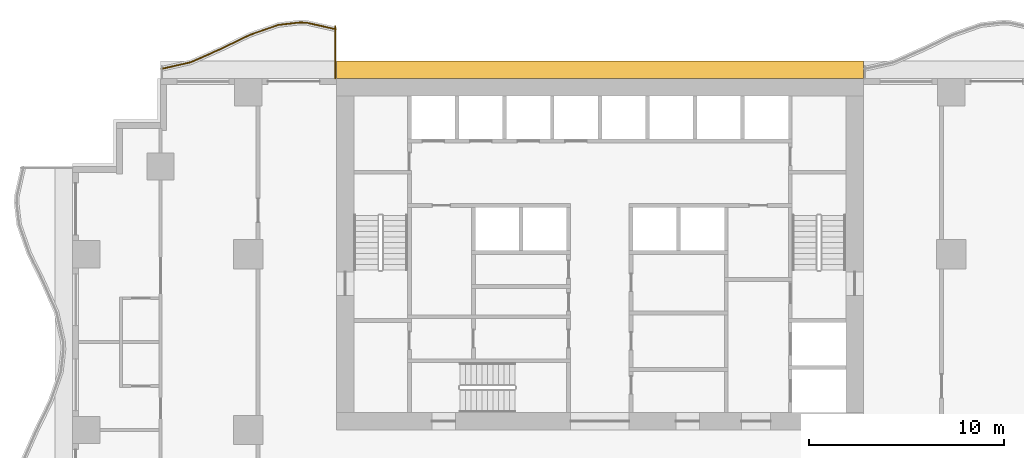
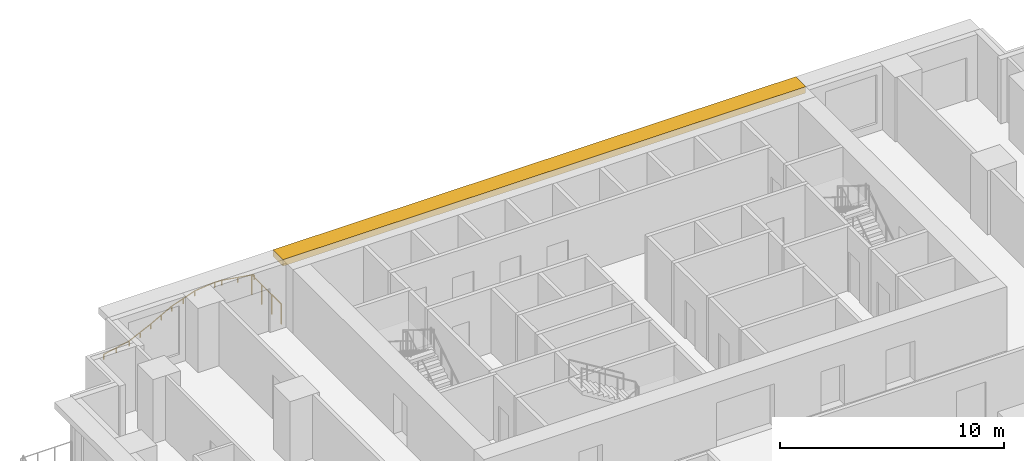
# One storey, part 13 of 14: 2 railings, 1 shading device.
"""IFC4 building model written with IfcOpenShell, lengths in metres."""

from ifc_helpers import new_model, si_unit, direction, frame, origin, origin_2d, place, context, subcontext, project, spatial, polyline, rectangle, outline, extrude, material, layer, layer_set, type_object, element, save


model = new_model("IFC4")

# Units and contexts
model_context = context("Model", 3, precision=1e-05, world=origin(), true_north=direction((0.0, 1.0)))
body_context = subcontext(model_context, "Body", "Model", "MODEL_VIEW")
ifc_project = project(units=[si_unit("LENGTHUNIT", "METRE"), si_unit("AREAUNIT", "SQUARE_METRE"), si_unit("VOLUMEUNIT", "CUBIC_METRE"), si_unit("PLANEANGLEUNIT", "RADIAN"), si_unit("MASSUNIT", "GRAM", prefix="KILO")], contexts=[model_context])

# Site, building, storey
site_placement = place(None, origin())
site = spatial("IfcSite", under=ifc_project, at=site_placement, CompositionType="ELEMENT")
building_placement = place(site_placement, origin())
building = spatial("IfcBuilding", under=site, at=building_placement, Name="Orbiselva Terraces", CompositionType="ELEMENT")
storey_placement = place(building_placement, frame((0.0, 0.0, 49.2)))
storey = spatial("IfcBuildingStorey", under=building, at=storey_placement, Name="L12", CompositionType="ELEMENT", Elevation=49.2)

# Railings
ifc_material_1 = material(Name="Bonded two-ply safety glass balustrade, stainless steel posts", Category="steel")
railing_type_1 = type_object("IfcRailingType", Name="ENV-BALUSTRADE-1200", PredefinedType="BALUSTRADE", material=ifc_material_1)
railing_1_placement = place(storey_placement, frame((-13.527377, 25.026563, 0.9)))
element("IfcRailing", 1, at=railing_1_placement, inside=storey, type_object=railing_type_1, Name="Balcony balustrade L12 NW", PredefinedType="BALUSTRADE", context=body_context, shape_type="SweptSolid", body=[
    extrude(outline(polyline([(0.028868, 0.0), (0.014434, 0.025), (-0.014434, 0.025), (-0.028868, 0.0), (-0.014434, -0.025), (0.014434, -0.025), (0.028868, 0.0)])), frame((0.0, 0.0, 0.275), z_axis=(-0.975721322437, 0.21901575501, 0.0), x_axis=(-0.21901575501, -0.975721322437, 0.0)), (0.0, 0.0, 1.0), 1.525954),
    extrude(outline(polyline([(0.028868, 0.0), (0.014434, 0.025), (-0.014434, 0.025), (-0.028868, 0.0), (-0.014434, -0.025), (0.014434, -0.025), (0.028868, 0.0)])), frame((-1.488906, 0.334208, 0.275), z_axis=(-0.999224931454, 0.039364150694, 0.0), x_axis=(-0.039364150694, -0.999224931454, 0.0)), (0.0, 0.0, 1.0), 0.354206),
    extrude(outline(polyline([(0.028868, 0.0), (0.014434, 0.025), (-0.014434, 0.025), (-0.028868, 0.0), (-0.014434, -0.025), (0.014434, -0.025), (0.028868, 0.0)])), frame((-1.842837, 0.348151, 0.275), z_axis=(-0.993309658409, -0.115481264762, 0.0), x_axis=(0.115481264762, -0.993309658409, 0.0)), (0.0, 0.0, 1.0), 1.10902),
    extrude(outline(polyline([(0.028868, 0.0), (0.014434, 0.025), (-0.014434, 0.025), (-0.028868, 0.0), (-0.014434, -0.025), (0.014434, -0.025), (0.028868, 0.0)])), frame((-2.944437, 0.22008, 0.275), z_axis=(-0.943972277814, -0.330024754707, 0.0), x_axis=(0.330024754707, -0.943972277814, 0.0)), (0.0, 0.0, 1.0), 1.567807),
    extrude(outline(polyline([(0.028868, 0.0), (0.014434, 0.025), (-0.014434, 0.025), (-0.028868, 0.0), (-0.014434, -0.025), (0.014434, -0.025), (0.028868, 0.0)])), frame((-4.424403, -0.297335, 0.275), z_axis=(-0.89857890432, -0.438811978768, 0.0), x_axis=(0.438811978768, -0.89857890432, 0.0)), (0.0, 0.0, 1.0), 1.66438),
    extrude(outline(polyline([(0.028868, 0.0), (0.014434, 0.025), (-0.014434, 0.025), (-0.028868, 0.0), (-0.014434, -0.025), (0.014434, -0.025), (0.028868, 0.0)])), frame((-5.91998, -1.027685, 0.275), z_axis=(-0.915133527237, -0.403150874148, 0.0), x_axis=(0.403150874148, -0.915133527237, 0.0)), (0.0, 0.0, 1.0), 1.653736),
    extrude(outline(polyline([(0.028868, 0.0), (0.014434, 0.025), (-0.014434, 0.025), (-0.028868, 0.0), (-0.014434, -0.025), (0.014434, -0.025), (0.028868, 0.0)])), frame((-7.433369, -1.69439, 0.275), z_axis=(-0.975721349543, -0.219015634252, 0.0), x_axis=(0.219015634252, -0.975721349543, 0.0)), (0.0, 0.0, 1.0), 1.549497),
    extrude(rectangle(XDim=0.05, YDim=0.05, at=origin_2d()), origin(), (0.0, 0.0, 1.0), 0.25),
    extrude(rectangle(XDim=0.05, YDim=0.05, at=origin_2d()), frame((-0.744453, 0.167104, 0.0)), (0.0, 0.0, 1.0), 0.25),
    extrude(rectangle(XDim=0.05, YDim=0.05, at=origin_2d()), frame((-1.488906, 0.334208, 0.0)), (0.0, 0.0, 1.0), 0.25),
    extrude(rectangle(XDim=0.05, YDim=0.05, at=origin_2d()), frame((-1.842837, 0.348151, 0.0)), (0.0, 0.0, 1.0), 0.25),
    extrude(rectangle(XDim=0.05, YDim=0.05, at=origin_2d()), frame((-2.944437, 0.22008, 0.0)), (0.0, 0.0, 1.0), 0.25),
    extrude(rectangle(XDim=0.05, YDim=0.05, at=origin_2d()), frame((-3.68442, -0.038628, 0.0)), (0.0, 0.0, 1.0), 0.25),
    extrude(rectangle(XDim=0.05, YDim=0.05, at=origin_2d()), frame((-4.424403, -0.297335, 0.0)), (0.0, 0.0, 1.0), 0.25),
    extrude(rectangle(XDim=0.05, YDim=0.05, at=origin_2d()), frame((-5.172192, -0.66251, 0.0)), (0.0, 0.0, 1.0), 0.25),
    extrude(rectangle(XDim=0.05, YDim=0.05, at=origin_2d()), frame((-5.91998, -1.027685, 0.0)), (0.0, 0.0, 1.0), 0.25),
    extrude(rectangle(XDim=0.05, YDim=0.05, at=origin_2d()), frame((-6.676675, -1.361037, 0.0)), (0.0, 0.0, 1.0), 0.25),
    extrude(rectangle(XDim=0.05, YDim=0.05, at=origin_2d()), frame((-7.433369, -1.69439, 0.0)), (0.0, 0.0, 1.0), 0.25),
    extrude(rectangle(XDim=0.05, YDim=0.05, at=origin_2d()), frame((-8.189308, -1.864072, 0.0)), (0.0, 0.0, 1.0), 0.25),
    extrude(rectangle(XDim=0.05, YDim=0.05, at=origin_2d()), frame((-8.945246, -2.033754, 0.0)), (0.0, 0.0, 1.0), 0.25),
])
ifc_material_2 = material(Name="Stainless steel rail and posts", Category="steel")
railing_type_2 = type_object("IfcRailingType", Name="ENV-GUARD-1105", PredefinedType="BALUSTRADE", material=ifc_material_2)
railing_2_placement = place(storey_placement, frame((-13.56, 25.169584, 0.0)))
element("IfcRailing", 2, at=railing_2_placement, inside=storey, type_object=railing_type_2, Name="Balcony end guard L12 NW", PredefinedType="BALUSTRADE", context=body_context, shape_type="SweptSolid", body=[
    extrude(outline(polyline([(0.028868, 0.0), (0.014434, 0.025), (-0.014434, 0.025), (-0.028868, 0.0), (-0.014434, -0.025), (0.014434, -0.025), (0.028868, 0.0)])), frame((0.0, 0.0, 1.08), z_axis=(0.0, -1.0, 0.0), x_axis=(1.0, 0.0, 0.0)), (0.0, 0.0, 1.0), 2.644584),
    extrude(rectangle(XDim=0.05, YDim=0.05, at=origin_2d()), origin(), (0.0, 0.0, 1.0), 1.055),
    extrude(rectangle(XDim=0.05, YDim=0.05, at=origin_2d()), frame((0.0, -0.881528, 0.0)), (0.0, 0.0, 1.0), 1.055),
    extrude(rectangle(XDim=0.05, YDim=0.05, at=origin_2d()), frame((0.0, -1.763056, 0.0)), (0.0, 0.0, 1.0), 1.055),
    extrude(rectangle(XDim=0.05, YDim=0.05, at=origin_2d()), frame((0.0, -2.644584, 0.0)), (0.0, 0.0, 1.0), 1.055),
])

# Shading device
ifc_material_3 = material(Name="Terracotta baguette sunshade", Category="masonry")
ifc_layer = layer(ifc_material_3, 0.35)
ifc_layer_set = layer_set([ifc_layer], Name="Terracotta baguette sunshade")
shading_device_type = type_object("IfcShadingDeviceType", Name="ENV-SUNSHADE-900x350", PredefinedType="USERDEFINED", material=ifc_layer_set)
shading_device_placement = place(storey_placement, frame((0.0, 0.0, 3.15)))
element("IfcShadingDevice", 3, at=shading_device_placement, inside=storey, type_object=shading_device_type, Name="Sunshade band L12 CORE NORTH", ObjectType="SUNSHADE", PredefinedType="USERDEFINED", context=body_context, shape_type="SweptSolid", body=[
    extrude(outline(polyline([(13.5, 23.4), (-13.5, 23.4), (-13.5, 22.5), (13.5, 22.5), (13.5, 23.4)])), origin(), (0.0, 0.0, 1.0), 0.35),
])

save(model, "model.ifc")
